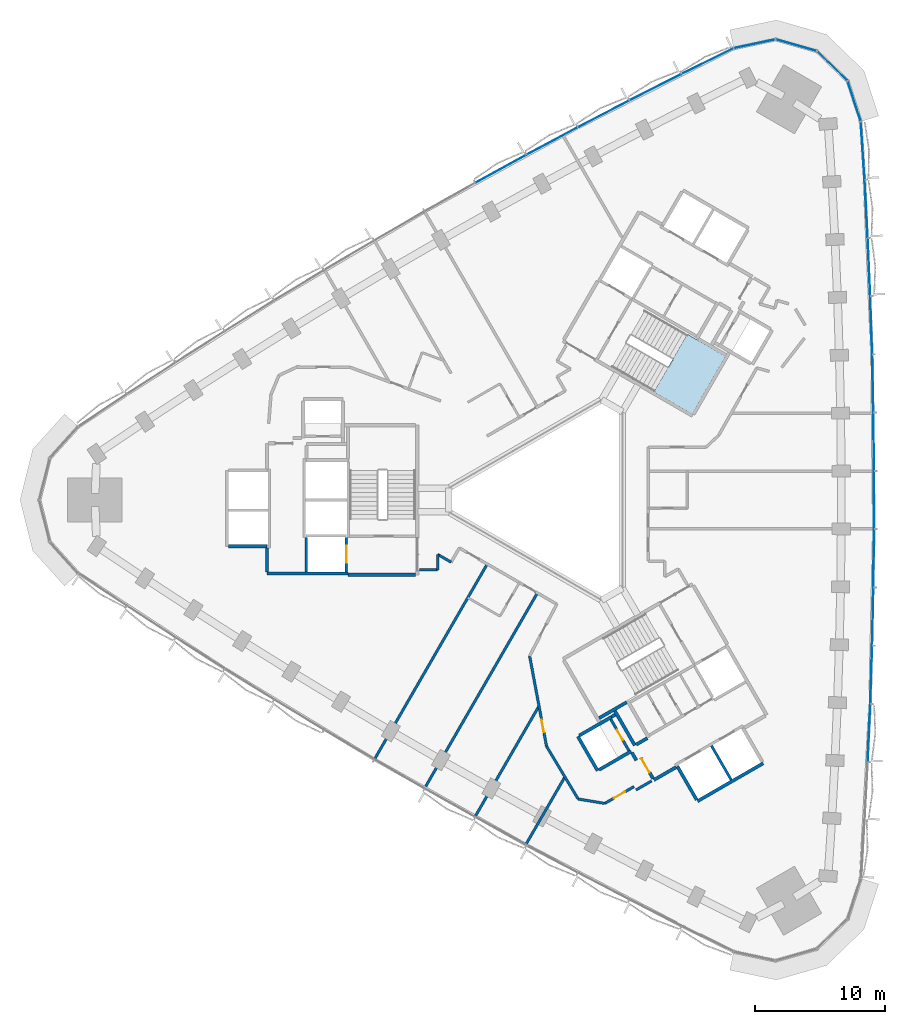
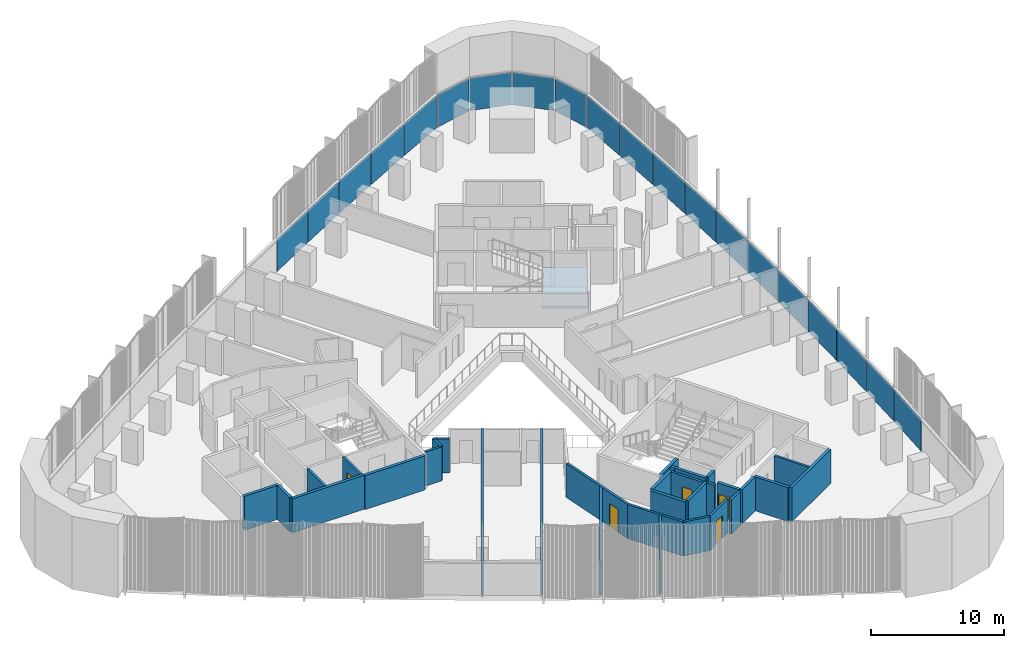
# One storey, part 9 of 16: 32 walls, 20 plates, 5 doors, 1 slab, 5 openings, 3 elements without a shape of their own.
"""IFC4 building model written with IfcOpenShell, lengths in metres."""

import ifcopenshell
import ifcopenshell.guid

model = None  # the IFC model being written
_history = None  # IfcOwnerHistory: only IFC2X3 demands one
_inside = {}  # id of a spatial element -> (the spatial element, [elements in it])
_under = {}  # id of a project, library or spatial element -> (it, [spatial elements below it])
_declared = {}  # id of a project -> (the project, [libraries it declares])
_typed = {}  # id of a type object -> (the type object, [elements of that type])
_made_of = {}  # id of a material, layer set ... -> (it, [elements and type objects made of it])


def new_model(schema):
    """Start an empty IFC model of exactly this schema.

    Asked for "IFC4X3", IfcOpenShell would pick the latest addendum, in which some entities
    have other attributes; the version numbers below select the first issue.
    IFC2X3 requires an IfcOwnerHistory on every rooted entity: one is made here for all.
    """
    global model, _history
    if schema == "IFC4X3":
        model = ifcopenshell.file(schema_version=(4, 3, 0, 0))
    else:
        model = ifcopenshell.file(schema=schema)
    _inside.clear()
    _under.clear()
    _declared.clear()
    _typed.clear()
    _made_of.clear()
    _history = None
    if model.schema == "IFC2X3":
        org = make("IfcOrganization", Name="unknown")
        user = make(
            "IfcPersonAndOrganization",
            ThePerson=make("IfcPerson", FamilyName="unknown"),
            TheOrganization=org,
        )
        app = make(
            "IfcApplication",
            ApplicationDeveloper=org,
            Version="unknown",
            ApplicationFullName="unknown",
            ApplicationIdentifier="unknown",
        )
        _history = make(
            "IfcOwnerHistory",
            OwningUser=user,
            OwningApplication=app,
            ChangeAction="ADDED",
            CreationDate=0,
        )
    return model


def make(cls, **values):
    """One entity of the class cls with the attributes given. An attribute that is None is left unset."""
    return model.create_entity(
        cls, **{name: value for name, value in values.items() if value is not None}
    )


def rooted(cls, **values):
    """An entity with a GlobalId (a new one), such as an element, a storey or a relation."""
    return make(cls, GlobalId=ifcopenshell.guid.new(), OwnerHistory=_history, **values)


def si_unit(unit_type, name, prefix=None):
    """IfcSIUnit, for example si_unit("LENGTHUNIT", "METRE", prefix="MILLI")."""
    return make("IfcSIUnit", UnitType=unit_type, Prefix=prefix, Name=name)


def assignment(units):
    """IfcUnitAssignment: the units of a project."""
    return None if units is None else make("IfcUnitAssignment", Units=units)


def point(xyz):
    """IfcCartesianPoint."""
    return None if xyz is None else make("IfcCartesianPoint", Coordinates=xyz)


def direction(xyz):
    """IfcDirection."""
    return None if xyz is None else make("IfcDirection", DirectionRatios=xyz)


def frame(location, z_axis=None, x_axis=None):
    """IfcAxis2Placement3D, a coordinate frame: its origin and axes. An axis left out is left unset."""
    return make(
        "IfcAxis2Placement3D",
        Location=point(location),
        Axis=direction(z_axis),
        RefDirection=direction(x_axis),
    )


def frame_2d(location, x_axis=None):
    """IfcAxis2Placement2D, a coordinate frame in the plane: its origin and x axis."""
    return make(
        "IfcAxis2Placement2D", Location=point(location), RefDirection=direction(x_axis)
    )


def origin():
    """The frame at (0, 0, 0) with its axes left unset."""
    return frame((0.0, 0.0, 0.0))


def origin_2d():
    """The frame at (0, 0) in the plane with its x axis left unset."""
    return frame_2d((0.0, 0.0))


def place(relative_to, where):
    """IfcLocalPlacement: puts the frame where relative to a parent placement (None: the world)."""
    return make(
        "IfcLocalPlacement", PlacementRelTo=relative_to, RelativePlacement=where
    )


def context(
    kind, dimensions, precision=None, world=None, true_north=None, identifier=None
):
    """IfcGeometricRepresentationContext, for example the 3D "Model" context."""
    return make(
        "IfcGeometricRepresentationContext",
        ContextIdentifier=identifier,
        ContextType=kind,
        CoordinateSpaceDimension=dimensions,
        Precision=precision,
        WorldCoordinateSystem=world,
        TrueNorth=true_north,
    )


def subcontext(parent, identifier, kind, view, scale=None):
    """IfcGeometricRepresentationSubContext, for example "Body" below "Model"."""
    return make(
        "IfcGeometricRepresentationSubContext",
        ContextIdentifier=identifier,
        ContextType=kind,
        ParentContext=parent,
        TargetScale=scale,
        TargetView=view,
    )


def project(units=None, contexts=None):
    """IfcProject with its units and contexts."""
    return rooted(
        "IfcProject",
        Name="project",
        RepresentationContexts=contexts,
        UnitsInContext=assignment(units),
    )


def spatial(cls, under=None, at=None, **own):
    """A site, building, storey or space (cls), placed at a placement, below another one or the project."""
    s = rooted(cls, ObjectPlacement=at, **own)
    if under is not None:
        _under.setdefault(under.id(), (under, []))[1].append(s)
    return s


def polyline(points):
    """IfcPolyline through the points."""
    return make("IfcPolyline", Points=[point(p) for p in points])


def profile(cls, at=None, kind="AREA", **sizes):
    """A parametric profile (cls). Its sizes go by their IFC names, for example OverallWidth=200.0."""
    return make(cls, ProfileType=kind, Position=at, **sizes)


def rectangle(**sizes):
    """IfcRectangleProfileDef."""
    return profile("IfcRectangleProfileDef", **sizes)


def outline(outer, holes=None, kind="AREA"):
    """IfcArbitraryClosedProfileDef: a profile drawn as a closed curve; with holes, ...WithVoids."""
    if holes is None:
        return make("IfcArbitraryClosedProfileDef", ProfileType=kind, OuterCurve=outer)
    return make(
        "IfcArbitraryProfileDefWithVoids",
        ProfileType=kind,
        OuterCurve=outer,
        InnerCurves=holes,
    )


def extrude(swept, where, along, depth):
    """IfcExtrudedAreaSolid: the profile swept, set in the frame where, extruded along a direction by depth."""
    return make(
        "IfcExtrudedAreaSolid",
        SweptArea=swept,
        Position=where,
        ExtrudedDirection=direction(along),
        Depth=depth,
    )


def shape(context_of_items, identifier, shape_type, items):
    """IfcShapeRepresentation: the items that make up one representation, for example the "Body"."""
    return make(
        "IfcShapeRepresentation",
        ContextOfItems=context_of_items,
        RepresentationIdentifier=identifier,
        RepresentationType=shape_type,
        Items=items,
    )


def material(Name=None, Category=None):
    """IfcMaterial."""
    return make("IfcMaterial", Name=Name, Category=Category)


def layer(
    of_material, thickness, ventilated=None, Name=None, Category=None, Priority=None
):
    """IfcMaterialLayer: one layer of a wall or slab, of a material (None: an air gap)."""
    return make(
        "IfcMaterialLayer",
        Material=of_material,
        LayerThickness=thickness,
        IsVentilated=ventilated,
        Name=Name,
        Category=Category,
        Priority=Priority,
    )


def layer_set(layers, Name=None):
    """IfcMaterialLayerSet."""
    return make("IfcMaterialLayerSet", MaterialLayers=layers, LayerSetName=Name)


def made_of(thing, what):
    """Note that an element or type object is made of a material, layer set ...; save() writes the relation."""
    if what is not None:
        _made_of.setdefault(what.id(), (what, []))[1].append(thing)
    return thing


def type_object(cls, material=None, **own):
    """A type object (cls), such as IfcWallType, which elements share."""
    return made_of(rooted(cls, **own), material)


def element(
    cls,
    number,
    at=None,
    inside=None,
    cuts=None,
    type_object=None,
    material=None,
    context=None,
    identifier="Body",
    shape_type=None,
    held_by="IfcProductDefinitionShape",
    body=None,
    shapes=None,
    **own,
):
    """One element of the class cls, such as IfcWall. Its Tag is "e" and its number.

    at: its placement. inside: the storey or other place that contains it. cuts: it is an
    opening in that element (IfcRelVoidsElement). A single representation is given by context,
    identifier, shape_type and body (its items); several are given by shapes. held_by: the class
    of the entity that holds the representations. save() writes the other relations.
    """
    e = rooted(cls, Tag="e%d" % number, ObjectPlacement=at, **own)
    if body is not None:
        shapes = [shape(context, identifier, shape_type, body)]
    if shapes is not None:
        e.Representation = make(held_by, Representations=shapes)
    if inside is not None:
        _inside.setdefault(inside.id(), (inside, []))[1].append(e)
    if cuts is not None:
        rooted(
            "IfcRelVoidsElement", RelatingBuildingElement=cuts, RelatedOpeningElement=e
        )
    if type_object is not None:
        _typed.setdefault(type_object.id(), (type_object, []))[1].append(e)
    return made_of(e, material)


def fill(opening, filler):
    """IfcRelFillsElement: the door or window that sits in an opening."""
    return rooted(
        "IfcRelFillsElement",
        RelatingOpeningElement=opening,
        RelatedBuildingElement=filler,
    )


def aggregate(whole, parts):
    """IfcRelAggregates: a whole, such as a stair, and the parts it consists of."""
    return rooted("IfcRelAggregates", RelatingObject=whole, RelatedObjects=parts)


def save(model, path):
    """Write the relations noted so far, then the file.

    IfcRelAggregates (storeys below a building ...), IfcRelContainedInSpatialStructure (elements
    in a storey), IfcRelDefinesByType, IfcRelAssociatesMaterial and IfcRelDeclares: one each for
    every whole, place, type object, material and project.
    """
    for whole, parts in _under.values():
        aggregate(whole, parts)
    for where, things in _inside.values():
        rooted(
            "IfcRelContainedInSpatialStructure",
            RelatedElements=things,
            RelatingStructure=where,
        )
    for kind, things in _typed.values():
        rooted("IfcRelDefinesByType", RelatedObjects=things, RelatingType=kind)
    for what, things in _made_of.values():
        rooted("IfcRelAssociatesMaterial", RelatedObjects=things, RelatingMaterial=what)
    for by, libraries in _declared.values():
        rooted("IfcRelDeclares", RelatingContext=by, RelatedDefinitions=libraries)
    model.write(path)


model = new_model("IFC4")

# Units and contexts
model_context = context("Model", 3, precision=1e-05, world=origin(), true_north=direction((0.0, 1.0)))
body_context = subcontext(model_context, "Body", "Model", "MODEL_VIEW")
ifc_project = project(units=[si_unit("LENGTHUNIT", "METRE"), si_unit("AREAUNIT", "SQUARE_METRE"), si_unit("VOLUMEUNIT", "CUBIC_METRE"), si_unit("PLANEANGLEUNIT", "RADIAN"), si_unit("MASSUNIT", "GRAM", prefix="KILO")], contexts=[model_context])

# Site, building, storey
site_placement = place(None, origin())
site = spatial("IfcSite", under=ifc_project, at=site_placement, CompositionType="ELEMENT")
building_placement = place(site_placement, origin())
building = spatial("IfcBuilding", under=site, at=building_placement, Name="Tamra Quay Hotel Tower", CompositionType="ELEMENT")
storey_placement = place(building_placement, frame((0.0, 0.0, 56.60009765625)))
storey = spatial("IfcBuildingStorey", under=building, at=storey_placement, Name="L12", CompositionType="ELEMENT", Elevation=56.60009765625)

# Stair, slab
ifc_material_1 = material(Name="Exit stair 2200 24 risers 150.0 going 342")
stair_type = type_object("IfcStairType", Name="Exit stair 2200 24 risers 150.0 going 342", PredefinedType="HALF_TURN_STAIR", material=ifc_material_1)
stair_placement = place(storey_placement, origin())
stair = element("IfcStair", 1, at=stair_placement, inside=storey, type_object=stair_type, Name="L12 Exit stair ST1", PredefinedType="HALF_TURN_STAIR")
ifc_material_2 = material(Name="Concrete M70", Category="concrete")
ifc_layer_1 = layer(ifc_material_2, 0.175048828125)
ifc_layer_set_1 = layer_set([ifc_layer_1], Name="Concrete M70 stair landing 180")
slab_type = type_object("IfcSlabType", Name="Concrete M70 stair landing 180", PredefinedType="LANDING", material=ifc_layer_set_1)
slab_placement = place(storey_placement, frame((0.0, 0.0, 1.625)))
slab = element("IfcSlab", 2, at=slab_placement, type_object=slab_type, Name="ST1 landing 1", PredefinedType="LANDING", context=body_context, shape_type="SweptSolid", body=[
    extrude(outline(polyline([(7.425048828125, 8.336669921875), (10.385009765625, 6.627685546875), (12.964599609375, 11.095458984375), (10.00439453125, 12.804443359375), (7.425048828125, 8.336669921875)])), origin(), (0.0, 0.0, 1.0), 0.1748046875),
])
aggregate(stair, [slab])

# Curtain wall, plates
ifc_material_3 = material(Name="Aluminium 6063 anodised dark grey", Category="aluminium")
curtain_wall_type_1 = type_object("IfcCurtainWallType", Name="CW1 CURTAIN WALL", PredefinedType="NOTDEFINED", material=ifc_material_3)
curtain_wall_1_placement = place(storey_placement, origin())
curtain_wall_1 = element("IfcCurtainWall", 3, at=curtain_wall_1_placement, inside=storey, type_object=curtain_wall_type_1, Name="CW1 east face L12", PredefinedType="NOTDEFINED")
ifc_material_4 = material(Name="Glass clear laminated low-iron", Category="glass")
ifc_layer_2 = layer(ifc_material_4, 0.035888671875)
ifc_layer_set_2 = layer_set([ifc_layer_2], Name="GLASS PANEL CW1 Z1")
plate_type_1 = type_object("IfcPlateType", Name="GLASS PANEL CW1 Z1", PredefinedType="CURTAIN_PANEL", material=ifc_layer_set_2)
plate_1_placement = place(storey_placement, frame((24.04052734375, -17.985107421875, 0.0), z_axis=(0.0, 0.0, 1.0), x_axis=(0.043285462035, 0.999062745165, 0.0)))
plate_1 = element("IfcPlate", 4, at=plate_1_placement, type_object=plate_type_1, Name="CW1 glass L12.E.3", PredefinedType="CURTAIN_PANEL", context=body_context, shape_type="SweptSolid", body=[
    extrude(rectangle(XDim=4.397216796875, YDim=0.035888671875, at=origin_2d()), origin(), (0.0, 0.0, 1.0), 2.985107421875),
])
plate_2_placement = place(storey_placement, frame((24.2109375, -13.490966796875, 0.0), z_axis=(0.0, 0.0, 1.0), x_axis=(0.032474799035, 0.999472554615, 0.0)))
plate_2 = element("IfcPlate", 5, at=plate_2_placement, type_object=plate_type_1, Name="CW1 glass L12.E.4", PredefinedType="CURTAIN_PANEL", context=body_context, shape_type="SweptSolid", body=[
    extrude(rectangle(XDim=4.397216796875, YDim=0.035888671875, at=origin_2d()), origin(), (0.0, 0.0, 1.0), 2.985107421875),
])
plate_3_placement = place(storey_placement, frame((24.332763671875, -8.99462890625, 0.0), z_axis=(0.0, 0.0, 1.0), x_axis=(0.021657440572, 0.999765450127, 0.0)))
plate_3 = element("IfcPlate", 6, at=plate_3_placement, type_object=plate_type_1, Name="CW1 glass L12.E.5", PredefinedType="CURTAIN_PANEL", context=body_context, shape_type="SweptSolid", body=[
    extrude(rectangle(XDim=4.39892578125, YDim=0.035888671875, at=origin_2d()), origin(), (0.0, 0.0, 1.0), 2.985107421875),
])
plate_4_placement = place(storey_placement, frame((24.40576171875, -4.4970703125, 0.0), z_axis=(0.0, 0.0, 1.0), x_axis=(0.010835825783, 0.999941290716, 0.0)))
plate_4 = element("IfcPlate", 7, at=plate_4_placement, type_object=plate_type_1, Name="CW1 glass L12.E.6", PredefinedType="CURTAIN_PANEL", context=body_context, shape_type="SweptSolid", body=[
    extrude(rectangle(XDim=4.397216796875, YDim=0.035888671875, at=origin_2d()), origin(), (0.0, 0.0, 1.0), 2.985107421875),
])
plate_5_placement = place(storey_placement, frame((24.43017578125, 0.0, 0.0), z_axis=(0.0, 0.0, 1.0), x_axis=(0.0, 1.0, 0.0)))
plate_5 = element("IfcPlate", 8, at=plate_5_placement, type_object=plate_type_1, Name="CW1 glass L12.E.7", PredefinedType="CURTAIN_PANEL", context=body_context, shape_type="SweptSolid", body=[
    extrude(rectangle(XDim=4.397216796875, YDim=0.035888671875, at=origin_2d()), origin(), (0.0, 0.0, 1.0), 2.985107421875),
])
plate_6_placement = place(storey_placement, frame((24.40576171875, 4.4970703125, 0.0), z_axis=(0.0, 0.0, 1.0), x_axis=(-0.010835825783, 0.999941290716, 0.0)))
plate_6 = element("IfcPlate", 9, at=plate_6_placement, type_object=plate_type_1, Name="CW1 glass L12.E.8", PredefinedType="CURTAIN_PANEL", context=body_context, shape_type="SweptSolid", body=[
    extrude(rectangle(XDim=4.397216796875, YDim=0.035888671875, at=origin_2d()), origin(), (0.0, 0.0, 1.0), 2.985107421875),
])
plate_7_placement = place(storey_placement, frame((24.332763671875, 8.99462890625, 0.0), z_axis=(0.0, 0.0, 1.0), x_axis=(-0.021657440572, 0.999765450127, 0.0)))
plate_7 = element("IfcPlate", 10, at=plate_7_placement, type_object=plate_type_1, Name="CW1 glass L12.E.9", PredefinedType="CURTAIN_PANEL", context=body_context, shape_type="SweptSolid", body=[
    extrude(rectangle(XDim=4.39892578125, YDim=0.035888671875, at=origin_2d()), origin(), (0.0, 0.0, 1.0), 2.985107421875),
])
plate_8_placement = place(storey_placement, frame((24.2109375, 13.490966796875, 0.0), z_axis=(0.0, 0.0, 1.0), x_axis=(-0.032474799035, 0.999472554615, 0.0)))
plate_8 = element("IfcPlate", 11, at=plate_8_placement, type_object=plate_type_1, Name="CW1 glass L12.E.10", PredefinedType="CURTAIN_PANEL", context=body_context, shape_type="SweptSolid", body=[
    extrude(rectangle(XDim=4.397216796875, YDim=0.035888671875, at=origin_2d()), origin(), (0.0, 0.0, 1.0), 2.985107421875),
])
plate_9_placement = place(storey_placement, frame((24.04052734375, 17.985107421875, 0.0), z_axis=(0.0, 0.0, 1.0), x_axis=(-0.043285462035, 0.999062745165, 0.0)))
plate_9 = element("IfcPlate", 12, at=plate_9_placement, type_object=plate_type_1, Name="CW1 glass L12.E.11", PredefinedType="CURTAIN_PANEL", context=body_context, shape_type="SweptSolid", body=[
    extrude(rectangle(XDim=4.397216796875, YDim=0.035888671875, at=origin_2d()), origin(), (0.0, 0.0, 1.0), 2.985107421875),
])
plate_10_placement = place(storey_placement, frame((23.821533203125, 22.477783203125, 0.0), z_axis=(0.0, 0.0, 1.0), x_axis=(-0.054062119595, 0.998537574268, 0.0)))
plate_10 = element("IfcPlate", 13, at=plate_10_placement, type_object=plate_type_1, Name="CW1 glass L12.E.12", PredefinedType="CURTAIN_PANEL", context=body_context, shape_type="SweptSolid", body=[
    extrude(rectangle(XDim=4.39892578125, YDim=0.035888671875, at=origin_2d()), origin(), (0.0, 0.0, 1.0), 2.985107421875),
])
plate_11_placement = place(storey_placement, frame((23.55419921875, 26.96728515625, 0.0), z_axis=(0.0, 0.0, 1.0), x_axis=(-0.064813097616, 0.997897420769, 0.0)))
plate_11 = element("IfcPlate", 14, at=plate_11_placement, type_object=plate_type_1, Name="CW1 glass L12.E.13", PredefinedType="CURTAIN_PANEL", context=body_context, shape_type="SweptSolid", body=[
    extrude(rectangle(XDim=4.396484375, YDim=0.035888671875, at=origin_2d()), origin(), (0.0, 0.0, 1.0), 2.985107421875),
])
plate_12_placement = place(storey_placement, frame((22.8974609375, 30.783447265625, 0.0), z_axis=(0.0, 0.0, 1.0), x_axis=(-0.309040551826, 0.951048861693, 0.0)))
plate_12 = element("IfcPlate", 15, at=plate_12_placement, type_object=plate_type_1, Name="CW1 glass L12.E.14", PredefinedType="CURTAIN_PANEL", context=body_context, shape_type="SweptSolid", body=[
    extrude(rectangle(XDim=3.207275390625, YDim=0.035888671875, at=origin_2d()), origin(), (0.0, 0.0, 1.0), 2.985107421875),
])
plate_13_placement = place(storey_placement, frame((21.197021484375, 33.5048828125, 0.0), z_axis=(0.0, 0.0, 1.0), x_axis=(-0.719345535851, 0.694652431113, 0.0)))
plate_13 = element("IfcPlate", 16, at=plate_13_placement, type_object=plate_type_1, Name="CW1 glass L12.E.15", PredefinedType="CURTAIN_PANEL", context=body_context, shape_type="SweptSolid", body=[
    extrude(rectangle(XDim=3.207275390625, YDim=0.035888671875, at=origin_2d()), origin(), (0.0, 0.0, 1.0), 2.985107421875),
])
plate_14_placement = place(storey_placement, frame((18.417724609375, 35.109619140625, 0.0), z_axis=(0.0, 0.0, 1.0), x_axis=(-0.96125942007, 0.275645292589, 0.0)))
plate_14 = element("IfcPlate", 17, at=plate_14_placement, type_object=plate_type_1, Name="CW1 glass L12.E.16", PredefinedType="CURTAIN_PANEL", context=body_context, shape_type="SweptSolid", body=[
    extrude(rectangle(XDim=3.207275390625, YDim=0.035888671875, at=origin_2d()), origin(), (0.0, 0.0, 1.0), 2.985107421875),
])
plate_15_placement = place(storey_placement, frame((15.210693359375, 35.2216796875, 0.0), z_axis=(0.0, 0.0, 1.0), x_axis=(-0.978152750379, -0.207887462165, 0.0)))
plate_15 = element("IfcPlate", 18, at=plate_15_placement, type_object=plate_type_1, Name="CW1 glass L12.E.17", PredefinedType="CURTAIN_PANEL", context=body_context, shape_type="SweptSolid", body=[
    extrude(rectangle(XDim=3.207275390625, YDim=0.035888671875, at=origin_2d()), origin(), (0.0, 0.0, 1.0), 2.985107421875),
])
aggregate(curtain_wall_1, [plate_1, plate_2, plate_3, plate_4, plate_5, plate_6, plate_7, plate_8, plate_9, plate_10, plate_11, plate_12, plate_13, plate_14, plate_15])

curtain_wall_type_2 = type_object("IfcCurtainWallType", Name="CW2 CURTAIN WALL", PredefinedType="NOTDEFINED", material=ifc_material_3)
curtain_wall_2_placement = place(storey_placement, origin())
curtain_wall_2 = element("IfcCurtainWall", 19, at=curtain_wall_2_placement, inside=storey, type_object=curtain_wall_type_2, Name="CW2 north-west face L12", PredefinedType="NOTDEFINED")
ifc_layer_3 = layer(ifc_material_4, 0.035888671875)
ifc_layer_set_3 = layer_set([ifc_layer_3], Name="GLASS PANEL CW2 Z1")
plate_type_2 = type_object("IfcPlateType", Name="GLASS PANEL CW2 Z1", PredefinedType="CURTAIN_PANEL", material=ifc_layer_set_3)
plate_16_placement = place(storey_placement, frame((11.5771484375, 33.88232421875, 0.0), z_axis=(0.0, 0.0, 1.0), x_axis=(-0.896611065565, -0.442818921351, 0.0)))
plate_16 = element("IfcPlate", 20, at=plate_16_placement, type_object=plate_type_2, Name="CW2 glass L12.NW.1", PredefinedType="CURTAIN_PANEL", context=body_context, shape_type="SweptSolid", body=[
    extrude(rectangle(XDim=4.396484375, YDim=0.035888671875, at=origin_2d()), origin(), (0.0, 0.0, 1.0), 2.985107421875),
])
plate_17_placement = place(storey_placement, frame((7.555419921875, 31.868896484375, 0.0), z_axis=(0.0, 0.0, 1.0), x_axis=(-0.891789965747, -0.452449618182, 0.0)))
plate_17 = element("IfcPlate", 21, at=plate_17_placement, type_object=plate_type_2, Name="CW2 glass L12.NW.2", PredefinedType="CURTAIN_PANEL", context=body_context, shape_type="SweptSolid", body=[
    extrude(rectangle(XDim=4.39892578125, YDim=0.035888671875, at=origin_2d()), origin(), (0.0, 0.0, 1.0), 2.985107421875),
])
plate_18_placement = place(storey_placement, frame((3.55517578125, 29.812255859375, 0.0), z_axis=(0.0, 0.0, 1.0), x_axis=(-0.886856448305, -0.462045062846, 0.0)))
plate_18 = element("IfcPlate", 22, at=plate_18_placement, type_object=plate_type_2, Name="CW2 glass L12.NW.3", PredefinedType="CURTAIN_PANEL", context=body_context, shape_type="SweptSolid", body=[
    extrude(rectangle(XDim=4.397216796875, YDim=0.035888671875, at=origin_2d()), origin(), (0.0, 0.0, 1.0), 2.985107421875),
])
plate_19_placement = place(storey_placement, frame((-0.421875, 27.712890625, 0.0), z_axis=(0.0, 0.0, 1.0), x_axis=(-0.881806022199, -0.47161227636, 0.0)))
plate_19 = element("IfcPlate", 23, at=plate_19_placement, type_object=plate_type_2, Name="CW2 glass L12.NW.4", PredefinedType="CURTAIN_PANEL", context=body_context, shape_type="SweptSolid", body=[
    extrude(rectangle(XDim=4.397216796875, YDim=0.035888671875, at=origin_2d()), origin(), (0.0, 0.0, 1.0), 2.985107421875),
])
plate_20_placement = place(storey_placement, frame((-4.376708984375, 25.570068359375, 0.0), z_axis=(0.0, 0.0, 1.0), x_axis=(-0.876650997922, -0.481126831347, 0.0)))
plate_20 = element("IfcPlate", 24, at=plate_20_placement, type_object=plate_type_2, Name="CW2 glass L12.NW.5", PredefinedType="CURTAIN_PANEL", context=body_context, shape_type="SweptSolid", body=[
    extrude(rectangle(XDim=4.39892578125, YDim=0.035888671875, at=origin_2d()), origin(), (0.0, 0.0, 1.0), 2.985107421875),
])
aggregate(curtain_wall_2, [plate_16, plate_17, plate_18, plate_19, plate_20])

# Wall, opening, door
ifc_layer_4 = layer(ifc_material_2, 0.199951171875)
ifc_layer_set_4 = layer_set([ifc_layer_4], Name="Concrete M70 core wall 200")
wall_type_1 = type_object("IfcWallType", Name="Concrete M70 core wall 200", PredefinedType="SHEAR", material=ifc_layer_set_4)
wall_1_placement = place(storey_placement, frame((-16.312255859375, -2.898193359375, 0.0), z_axis=(0.0, 0.0, 1.0), x_axis=(0.0, -1.0, 0.0)))
wall_1 = element("IfcWall", 25, at=wall_1_placement, inside=storey, type_object=wall_type_1, Name="CW2", PredefinedType="SHEAR", context=body_context, shape_type="SweptSolid", body=[
    extrude(rectangle(XDim=2.65087890625, YDim=0.199951171875, at=frame_2d((1.325439453125, 0.0))), origin(), (0.0, 0.0, 1.0), 3.125),
])
opening_1_placement = place(wall_1_placement, frame((0.65185546875, 0.0, 0.0)))
opening_1 = element("IfcOpeningElement", 26, at=opening_1_placement, cuts=wall_1, Name="Opening LD", PredefinedType="OPENING", context=body_context, shape_type="SweptSolid", body=[
    extrude(rectangle(XDim=1.300048828125, YDim=2.10009765625, at=frame_2d((0.64990234375, 1.050048828125))), frame((0.0, 0.10986328125, 0.0), z_axis=(0.0, -1.0, 0.0), x_axis=(1.0, 0.0, 0.0)), (0.0, 0.0, 1.0), 0.219970703125),
])
ifc_material_5 = material(Name="Landing door LD 1300 sliding to right")
door_type_1 = type_object("IfcDoorType", Name="Landing door LD 1300 sliding to right", OperationType="NOTDEFINED", PredefinedType="DOOR", material=ifc_material_5)
door_1_placement = place(opening_1_placement, origin())
door_1 = element("IfcDoor", 27, at=door_1_placement, inside=storey, type_object=door_type_1, Name="LD", OperationType="SLIDING_TO_RIGHT", OverallHeight=2.10009765625, OverallWidth=1.300048828125, PredefinedType="DOOR", context=body_context, shape_type="SweptSolid", body=[
    extrude(rectangle(XDim=1.300048828125, YDim=2.10009765625, at=frame_2d((0.64990234375, 1.050048828125))), frame((0.0, 0.02490234375, 0.0), z_axis=(0.0, -1.0, 0.0), x_axis=(1.0, 0.0, 0.0)), (0.0, 0.0, 1.0), 0.050048828125),
])
fill(opening_1, door_1)

# Walls
wall_2_placement = place(storey_placement, frame((-19.412353515625, -5.549072265625, 0.0), z_axis=(0.0, 0.0, 1.0), x_axis=(0.0, 1.0, 0.0)))
element("IfcWall", 28, at=wall_2_placement, inside=storey, type_object=wall_type_1, Name="CW2", PredefinedType="SHEAR", context=body_context, shape_type="SweptSolid", body=[
    extrude(rectangle(XDim=2.65087890625, YDim=0.199951171875, at=frame_2d((1.325439453125, 0.0))), origin(), (0.0, 0.0, 1.0), 3.125),
])
wall_3_placement = place(storey_placement, frame((11.87451171875, -18.967041015625, 0.0), z_axis=(0.0, 0.0, 1.0), x_axis=(0.49998131003, -0.866036194175, 0.0)))
element("IfcWall", 29, at=wall_3_placement, inside=storey, type_object=wall_type_1, Name="CW2", PredefinedType="SHEAR", context=body_context, shape_type="SweptSolid", body=[
    extrude(rectangle(XDim=3.0478515625, YDim=0.199951171875, at=frame_2d((1.52392578125, 0.0))), origin(), (0.0, 0.0, 1.0), 3.125),
])

# Wall, opening, door
wall_4_placement = place(storey_placement, frame((5.50341796875, -19.352294921875, 0.0), z_axis=(0.0, 0.0, 1.0), x_axis=(-0.499986818241, 0.866033014143, 0.0)))
wall_4 = element("IfcWall", 30, at=wall_4_placement, inside=storey, type_object=wall_type_1, Name="CW2", PredefinedType="SHEAR", context=body_context, shape_type="SweptSolid", body=[
    extrude(rectangle(XDim=2.7978515625, YDim=0.199951171875, at=frame_2d((1.39892578125, 0.0))), origin(), (0.0, 0.0, 1.0), 3.125),
])
opening_2_placement = place(wall_4_placement, frame((0.948974609375, 0.0, 0.0)))
opening_2 = element("IfcOpeningElement", 31, at=opening_2_placement, cuts=wall_4, Name="Opening D1", PredefinedType="OPENING", context=body_context, shape_type="SweptSolid", body=[
    extrude(rectangle(XDim=0.89990234375, YDim=2.10009765625, at=frame_2d((0.449951171875, 1.050048828125))), frame((0.0, 0.10986328125, 0.0), z_axis=(0.0, -1.0, 0.0), x_axis=(1.0, 0.0, 0.0)), (0.0, 0.0, 1.0), 0.219970703125),
])
ifc_material_6 = material(Name="Core door D1 900x2100 RH")
door_type_2 = type_object("IfcDoorType", Name="Core door D1 900x2100 RH", OperationType="NOTDEFINED", PredefinedType="DOOR", material=ifc_material_6)
door_2_placement = place(opening_2_placement, origin())
door_2 = element("IfcDoor", 32, at=door_2_placement, inside=storey, type_object=door_type_2, Name="D1", OperationType="SINGLE_SWING_RIGHT", OverallHeight=2.10009765625, OverallWidth=0.89990234375, PredefinedType="DOOR", context=body_context, shape_type="SweptSolid", body=[
    extrude(rectangle(XDim=0.89990234375, YDim=2.10009765625, at=frame_2d((0.449951171875, 1.050048828125))), frame((0.0, 0.02490234375, 0.0), z_axis=(0.0, -1.0, 0.0), x_axis=(1.0, 0.0, 0.0)), (0.0, 0.0, 1.0), 0.050048828125),
])
fill(opening_2, door_2)

# Walls
ifc_layer_5 = layer(ifc_material_2, 0.25)
ifc_layer_set_5 = layer_set([ifc_layer_5], Name="Concrete M70 core wall 250")
wall_type_2 = type_object("IfcWallType", Name="Concrete M70 core wall 250", PredefinedType="SHEAR", material=ifc_layer_set_5)
wall_5_placement = place(storey_placement, frame((-16.187255859375, -5.675048828125, 0.0), z_axis=(0.0, 0.0, 1.0), x_axis=(-1.0, 0.0, 0.0)))
element("IfcWall", 33, at=wall_5_placement, inside=storey, type_object=wall_type_2, Name="CW1", PredefinedType="SHEAR", context=body_context, shape_type="SweptSolid", body=[
    extrude(rectangle(XDim=6.25, YDim=0.25, at=frame_2d((3.125, 0.0))), origin(), (0.0, 0.0, 1.0), 3.125),
])
wall_6_placement = place(storey_placement, frame((-10.962646484375, -5.77490234375, 0.0), z_axis=(0.0, 0.0, 1.0), x_axis=(-1.0, 0.0, 0.0)))
element("IfcWall", 34, at=wall_6_placement, inside=storey, type_object=wall_type_2, Name="CW1", PredefinedType="SHEAR", context=body_context, shape_type="SweptSolid", body=[
    extrude(rectangle(XDim=5.224609375, YDim=0.25, at=frame_2d((2.6123046875, 0.0))), origin(), (0.0, 0.0, 1.0), 3.125),
])
wall_7_placement = place(storey_placement, frame((-22.437255859375, -3.574951171875, 0.0), z_axis=(0.0, 0.0, 1.0), x_axis=(-1.0, 0.0, 0.0)))
element("IfcWall", 35, at=wall_7_placement, inside=storey, type_object=wall_type_2, Name="CW1", PredefinedType="SHEAR", context=body_context, shape_type="SweptSolid", body=[
    extrude(rectangle(XDim=2.974609375, YDim=0.25, at=frame_2d((1.4873046875, 0.0))), origin(), (0.0, 0.0, 1.0), 3.125),
])
wall_8_placement = place(storey_placement, frame((-22.437255859375, -5.549560546875, 0.0), z_axis=(0.0, 0.0, 1.0), x_axis=(0.0, 1.0, 0.0)))
element("IfcWall", 36, at=wall_8_placement, inside=storey, type_object=wall_type_2, Name="CW1", PredefinedType="SHEAR", context=body_context, shape_type="SweptSolid", body=[
    extrude(rectangle(XDim=1.84912109375, YDim=0.25, at=frame_2d((0.924560546875, 0.0))), origin(), (0.0, 0.0, 1.0), 3.125),
])
wall_9_placement = place(storey_placement, frame((15.86474609375, -20.328369140625, 0.0), z_axis=(0.0, 0.0, 1.0), x_axis=(-0.86602852612, -0.499994591916, 0.0)))
element("IfcWall", 37, at=wall_9_placement, inside=storey, type_object=wall_type_2, Name="CW1", PredefinedType="SHEAR", context=body_context, shape_type="SweptSolid", body=[
    extrude(rectangle(XDim=5.85009765625, YDim=0.25, at=frame_2d((2.925048828125, 0.0))), origin(), (0.0, 0.0, 1.0), 3.125),
])
wall_10_placement = place(storey_placement, frame((10.73583984375, -23.144775390625, 0.0), z_axis=(0.0, 0.0, 1.0), x_axis=(-0.500023226632, 0.866011993467, 0.0)))
element("IfcWall", 38, at=wall_10_placement, inside=storey, type_object=wall_type_2, Name="CW1", PredefinedType="SHEAR", context=body_context, shape_type="SweptSolid", body=[
    extrude(rectangle(XDim=2.974365234375, YDim=0.25, at=frame_2d((1.4873046875, 0.0))), origin(), (0.0, 0.0, 1.0), 3.125),
])
wall_11_placement = place(storey_placement, frame((3.085205078125, -20.893798828125, 0.0), z_axis=(0.0, 0.0, 1.0), x_axis=(-0.499978833458, 0.866037623948, 0.0)))
element("IfcWall", 39, at=wall_11_placement, inside=storey, type_object=wall_type_2, Name="CW1", PredefinedType="SHEAR", context=body_context, shape_type="SweptSolid", body=[
    extrude(rectangle(XDim=3.050048828125, YDim=0.25, at=frame_2d((1.52490234375, 0.0))), origin(), (0.0, 0.0, 1.0), 3.125),
])
wall_12_placement = place(storey_placement, frame((1.6689453125, -18.189697265625, 0.0), z_axis=(0.0, 0.0, 1.0), x_axis=(0.866042235819, 0.499970844928, 0.0)))
element("IfcWall", 40, at=wall_12_placement, inside=storey, type_object=wall_type_2, Name="CW1", PredefinedType="SHEAR", context=body_context, shape_type="SweptSolid", body=[
    extrude(rectangle(XDim=2.864501953125, YDim=0.25, at=frame_2d((1.43212890625, 0.0))), origin(), (0.0, 0.0, 1.0), 3.125),
])
wall_13_placement = place(storey_placement, frame((5.6748046875, -19.39892578125, 0.0), z_axis=(0.0, 0.0, 1.0), x_axis=(-0.866026637627, -0.499997862916, 0.0)))
element("IfcWall", 41, at=wall_13_placement, inside=storey, type_object=wall_type_2, Name="CW1", PredefinedType="SHEAR", context=body_context, shape_type="SweptSolid", body=[
    extrude(rectangle(XDim=2.86474609375, YDim=0.25, at=frame_2d((1.432373046875, 0.0))), origin(), (0.0, 0.0, 1.0), 3.125),
])
wall_14_placement = place(storey_placement, frame((4.414306640625, -16.275634765625, 0.0), z_axis=(0.0, 0.0, 1.0), x_axis=(0.500003324108, -0.866023484601, 0.0)))
element("IfcWall", 42, at=wall_14_placement, inside=storey, type_object=wall_type_2, Name="CW1", PredefinedType="SHEAR", context=body_context, shape_type="SweptSolid", body=[
    extrude(rectangle(XDim=3.0849609375, YDim=0.25, at=frame_2d((1.54248046875, 0.0))), origin(), (0.0, 0.0, 1.0), 3.125),
])
wall_15_placement = place(storey_placement, frame((5.322021484375, -15.618896484375, 0.0), z_axis=(0.0, 0.0, 1.0), x_axis=(-0.866026229868, -0.499998569178, 0.0)))
element("IfcWall", 43, at=wall_15_placement, inside=storey, type_object=wall_type_2, Name="CW1", PredefinedType="SHEAR", context=body_context, shape_type="SweptSolid", body=[
    extrude(rectangle(XDim=2.44921875, YDim=0.25, at=frame_2d((1.224609375, 0.0))), origin(), (0.0, 0.0, 1.0), 3.125),
])
wall_16_placement = place(storey_placement, frame((9.139892578125, -20.63134765625, 0.0), z_axis=(0.0, 0.0, 1.0), x_axis=(-0.866043531843, -0.499968599967, 0.0)))
element("IfcWall", 44, at=wall_16_placement, inside=storey, type_object=wall_type_2, Name="CW1", PredefinedType="SHEAR", context=body_context, shape_type="SweptSolid", body=[
    extrude(rectangle(XDim=1.974853515625, YDim=0.25, at=frame_2d((0.9873046875, 0.0))), origin(), (0.0, 0.0, 1.0), 3.125),
])

# Wall, opening, door
wall_17_placement = place(storey_placement, frame((7.3671875, -21.51025390625, 0.0), z_axis=(0.0, 0.0, 1.0), x_axis=(-0.499983108224, 0.866035156036, 0.0)))
wall_17 = element("IfcWall", 45, at=wall_17_placement, inside=storey, type_object=wall_type_2, Name="CW1", PredefinedType="SHEAR", context=body_context, shape_type="SweptSolid", body=[
    extrude(rectangle(XDim=1.86474609375, YDim=0.25, at=frame_2d((0.932373046875, 0.0))), origin(), (0.0, 0.0, 1.0), 3.125),
])
opening_3_placement = place(wall_17_placement, frame((0.53466796875, 0.0, 0.0)))
opening_3 = element("IfcOpeningElement", 46, at=opening_3_placement, cuts=wall_17, Name="Opening FD3", PredefinedType="OPENING", context=body_context, shape_type="SweptSolid", body=[
    extrude(rectangle(XDim=1.25, YDim=2.10009765625, at=frame_2d((0.625, 1.050048828125))), frame((0.0, 0.135009765625, 0.0), z_axis=(0.0, -1.0, 0.0), x_axis=(1.0, 0.0, 0.0)), (0.0, 0.0, 1.0), 0.27001953125),
])
ifc_material_7 = material(Name="Core door FD3 1250x2100 LH")
door_type_3 = type_object("IfcDoorType", Name="Core door FD3 1250x2100 LH", OperationType="NOTDEFINED", PredefinedType="DOOR", material=ifc_material_7)
door_3_placement = place(opening_3_placement, origin())
door_3 = element("IfcDoor", 47, at=door_3_placement, inside=storey, type_object=door_type_3, Name="FD3", OperationType="SINGLE_SWING_LEFT", OverallHeight=2.10009765625, OverallWidth=1.25, PredefinedType="DOOR", context=body_context, shape_type="SweptSolid", body=[
    extrude(rectangle(XDim=1.25, YDim=2.10009765625, at=frame_2d((0.625, 1.050048828125))), frame((0.0, 0.02490234375, 0.0), z_axis=(0.0, -1.0, 0.0), x_axis=(1.0, 0.0, 0.0)), (0.0, 0.0, 1.0), 0.050048828125),
])
fill(opening_3, door_3)

# Walls
wall_18_placement = place(storey_placement, frame((6.0654296875, -18.884765625, 0.0), z_axis=(0.0, 0.0, 1.0), x_axis=(0.866017078145, 0.500014420154, 0.0)))
element("IfcWall", 48, at=wall_18_placement, inside=storey, type_object=wall_type_2, Name="CW1", PredefinedType="SHEAR", context=body_context, shape_type="SweptSolid", body=[
    extrude(rectangle(XDim=0.9892578125, YDim=0.25, at=frame_2d((0.49462890625, 0.0))), origin(), (0.0, 0.0, 1.0), 3.125),
])
wall_19_placement = place(storey_placement, frame((6.07958984375, -20.100341796875, 0.0), z_axis=(0.0, 0.0, 1.0), x_axis=(-0.500051773299, 0.865995510393, 0.0)))
element("IfcWall", 49, at=wall_19_placement, inside=storey, type_object=wall_type_2, Name="CW1", PredefinedType="SHEAR", context=body_context, shape_type="SweptSolid", body=[
    extrude(rectangle(XDim=0.6845703125, YDim=0.25, at=frame_2d((0.34228515625, 0.0))), origin(), (0.0, 0.0, 1.0), 3.125),
])
wall_20_placement = place(storey_placement, frame((4.144775390625, -16.748779296875, 0.0), z_axis=(0.0, 0.0, 1.0), x_axis=(0.866185586049, 0.49972245349, 0.0)))
element("IfcWall", 50, at=wall_20_placement, inside=storey, type_object=wall_type_2, Name="CW1", PredefinedType="SHEAR", context=body_context, shape_type="SweptSolid", body=[
    extrude(rectangle(XDim=0.344482421875, YDim=0.25, at=frame_2d((0.17236328125, 0.0))), origin(), (0.0, 0.0, 1.0), 3.125),
])
ifc_material_8 = material(Name="Partition corridor wall")
ifc_layer_6 = layer(ifc_material_8, 0.199951171875)
ifc_layer_set_6 = layer_set([ifc_layer_6], Name="Partition corridor wall")
wall_type_3 = type_object("IfcWallType", Name="Partition corridor wall", PredefinedType="PARTITIONING", material=ifc_layer_set_6)
wall_21_placement = place(storey_placement, frame((-10.65234375, -5.39990234375, 0.0), z_axis=(0.0, 0.0, 1.0), x_axis=(1.0, 0.0, 0.0)))
element("IfcWall", 51, at=wall_21_placement, inside=storey, type_object=wall_type_3, Name="W-C", PredefinedType="PARTITIONING", context=body_context, shape_type="SweptSolid", body=[
    extrude(rectangle(XDim=1.390380859375, YDim=0.199951171875, at=frame_2d((0.6953125, 0.0))), origin(), (0.0, 0.0, 1.0), 3.125),
])
for number, where, z_axis, x_axis, name in (
    (52, (-9.261962890625, -5.39990234375, 0.0), (0.0, 0.0, 1.0), (0.0, 1.0, 0.0), "W-C"),
    (53, (-9.261962890625, -4.199951171875, 0.0), (0.0, 0.0, 1.0), (0.865955154139, -0.50012165622, 0.0), "W-C"),
):
    element("IfcWall", number, at=place(storey_placement, frame(where, z_axis=z_axis, x_axis=x_axis)), inside=storey, type_object=wall_type_3, Name=name, PredefinedType="PARTITIONING", context=body_context, shape_type="SweptSolid", body=[
        extrude(rectangle(XDim=1.199951171875, YDim=0.199951171875, at=frame_2d((0.60009765625, 0.0))), origin(), (0.0, 0.0, 1.0), 3.125),
    ])

# Wall, opening, door
wall_22_placement = place(storey_placement, frame((-2.162109375, -12.0419921875, 0.0), z_axis=(0.0, 0.0, 1.0), x_axis=(0.183949825522, -0.982935634561, 0.0)))
wall_22 = element("IfcWall", 54, at=wall_22_placement, inside=storey, type_object=wall_type_3, Name="W-C", PredefinedType="PARTITIONING", context=body_context, shape_type="SweptSolid", body=[
    extrude(rectangle(XDim=7.093994140625, YDim=0.199951171875, at=frame_2d((3.546875, 0.0))), origin(), (0.0, 0.0, 1.0), 3.125),
])
opening_4_placement = place(wall_22_placement, frame((5.005859375, 0.0, 0.0)))
opening_4 = element("IfcOpeningElement", 55, at=opening_4_placement, cuts=wall_22, Name="Opening L12-D016", PredefinedType="OPENING", context=body_context, shape_type="SweptSolid", body=[
    extrude(rectangle(XDim=1.0, YDim=2.10009765625, at=frame_2d((0.5, 1.050048828125))), frame((0.0, 0.10986328125, 0.0), z_axis=(0.0, -1.0, 0.0), x_axis=(1.0, 0.0, 0.0)), (0.0, 0.0, 1.0), 0.219970703125),
])
ifc_material_9 = material(Name="Door guest room 1000x2100")
door_type_4 = type_object("IfcDoorType", Name="Door guest room 1000x2100", OperationType="NOTDEFINED", PredefinedType="DOOR", material=ifc_material_9)
door_4_placement = place(opening_4_placement, frame((1.0, 0.0, 0.0), z_axis=(0.0, 0.0, 1.0), x_axis=(-1.0, 0.0, 0.0)))
door_4 = element("IfcDoor", 56, at=door_4_placement, inside=storey, type_object=door_type_4, Name="L12-D016", OperationType="SINGLE_SWING_LEFT", OverallHeight=2.10009765625, OverallWidth=1.0, PredefinedType="DOOR", context=body_context, shape_type="SweptSolid", body=[
    extrude(rectangle(XDim=1.0, YDim=2.10009765625, at=frame_2d((0.5, 1.050048828125))), frame((0.0, 0.02490234375, 0.0), z_axis=(0.0, -1.0, 0.0), x_axis=(1.0, 0.0, 0.0)), (0.0, 0.0, 1.0), 0.050048828125),
])
fill(opening_4, door_4)

# Walls
wall_23_placement = place(storey_placement, frame((-0.85791015625, -19.01708984375, 0.0), z_axis=(0.0, 0.0, 1.0), x_axis=(0.514647068805, -0.857402119528, 0.0)))
element("IfcWall", 57, at=wall_23_placement, inside=storey, type_object=wall_type_3, Name="W-C", PredefinedType="PARTITIONING", context=body_context, shape_type="SweptSolid", body=[
    extrude(rectangle(XDim=4.745361328125, YDim=0.199951171875, at=frame_2d((2.37255859375, 0.0))), origin(), (0.0, 0.0, 1.0), 3.125),
])
wall_24_placement = place(storey_placement, frame((1.583984375, -23.0859375, 0.0), z_axis=(0.0, 0.0, 1.0), x_axis=(0.986633159246, -0.162957077405, 0.0)))
element("IfcWall", 58, at=wall_24_placement, inside=storey, type_object=wall_type_3, Name="W-C", PredefinedType="PARTITIONING", context=body_context, shape_type="SweptSolid", body=[
    extrude(rectangle(XDim=2.0869140625, YDim=0.199951171875, at=frame_2d((1.04345703125, 0.0))), origin(), (0.0, 0.0, 1.0), 3.125),
])

# Wall, opening, door
wall_25_placement = place(storey_placement, frame((3.64306640625, -23.426025390625, 0.0), z_axis=(0.0, 0.0, 1.0), x_axis=(0.866654350985, 0.498909045738, 0.0)))
wall_25 = element("IfcWall", 59, at=wall_25_placement, inside=storey, type_object=wall_type_3, Name="W-C", PredefinedType="PARTITIONING", context=body_context, shape_type="SweptSolid", body=[
    extrude(rectangle(XDim=2.607666015625, YDim=0.199951171875, at=frame_2d((1.3037109375, 0.0))), origin(), (0.0, 0.0, 1.0), 3.125),
])
opening_5_placement = place(wall_25_placement, frame((0.803955078125, 0.0, 0.0)))
opening_5 = element("IfcOpeningElement", 60, at=opening_5_placement, cuts=wall_25, Name="Opening L12-D017", PredefinedType="OPENING", context=body_context, shape_type="SweptSolid", body=[
    extrude(rectangle(XDim=1.0, YDim=2.10009765625, at=frame_2d((0.5, 1.050048828125))), frame((0.0, 0.10986328125, 0.0), z_axis=(0.0, -1.0, 0.0), x_axis=(1.0, 0.0, 0.0)), (0.0, 0.0, 1.0), 0.219970703125),
])
door_5_placement = place(opening_5_placement, frame((1.0, 0.0, 0.0), z_axis=(0.0, 0.0, 1.0), x_axis=(-1.0, 0.0, 0.0)))
door_5 = element("IfcDoor", 61, at=door_5_placement, inside=storey, type_object=door_type_4, Name="L12-D017", OperationType="SINGLE_SWING_LEFT", OverallHeight=2.10009765625, OverallWidth=1.0, PredefinedType="DOOR", context=body_context, shape_type="SweptSolid", body=[
    extrude(rectangle(XDim=1.0, YDim=2.10009765625, at=frame_2d((0.5, 1.050048828125))), frame((0.0, 0.02490234375, 0.0), z_axis=(0.0, -1.0, 0.0), x_axis=(1.0, 0.0, 0.0)), (0.0, 0.0, 1.0), 0.050048828125),
])
fill(opening_5, door_5)

# Walls
wall_26_placement = place(storey_placement, frame((6.053955078125, -22.385009765625, 0.0), z_axis=(0.0, 0.0, 1.0), x_axis=(0.86593101922, 0.500163443238, 0.0)))
element("IfcWall", 62, at=wall_26_placement, inside=storey, type_object=wall_type_3, Name="W-C", PredefinedType="PARTITIONING", context=body_context, shape_type="SweptSolid", body=[
    extrude(rectangle(XDim=1.3896484375, YDim=0.199951171875, at=frame_2d((0.69482421875, 0.0))), origin(), (0.0, 0.0, 1.0), 3.125),
])
ifc_material_10 = material(Name="Partition party wall")
ifc_layer_7 = layer(ifc_material_10, 0.199951171875)
ifc_layer_set_7 = layer_set([ifc_layer_7], Name="Partition party wall")
wall_type_4 = type_object("IfcWallType", Name="Partition party wall", PredefinedType="PARTITIONING", material=ifc_layer_set_7)
wall_27_placement = place(storey_placement, frame((-14.148193359375, -20.03515625, 0.0), z_axis=(0.0, 0.0, 1.0), x_axis=(0.500005855417, 0.866022023131, 0.0)))
element("IfcWall", 63, at=wall_27_placement, inside=storey, type_object=wall_type_4, Name="W-P", PredefinedType="PARTITIONING", context=body_context, shape_type="SweptSolid", body=[
    extrude(rectangle(XDim=17.424560546875, YDim=0.199951171875, at=frame_2d((8.71240234375, 0.0))), origin(), (0.0, 0.0, 1.0), 3.125),
])
wall_28_placement = place(storey_placement, frame((-10.2763671875, -22.2705078125, 0.0), z_axis=(0.0, 0.0, 1.0), x_axis=(0.49999372146, 0.866029028671, 0.0)))
element("IfcWall", 64, at=wall_28_placement, inside=storey, type_object=wall_type_4, Name="W-P", PredefinedType="PARTITIONING", context=body_context, shape_type="SweptSolid", body=[
    extrude(rectangle(XDim=17.425048828125, YDim=0.199951171875, at=frame_2d((8.71240234375, 0.0))), origin(), (0.0, 0.0, 1.0), 3.125),
])
wall_29_placement = place(storey_placement, frame((-6.38134765625, -24.463623046875, 0.0), z_axis=(0.0, 0.0, 1.0), x_axis=(0.500007577232, 0.866021029023, 0.0)))
element("IfcWall", 65, at=wall_29_placement, inside=storey, type_object=wall_type_4, Name="W-P", PredefinedType="PARTITIONING", context=body_context, shape_type="SweptSolid", body=[
    extrude(rectangle(XDim=9.882568359375, YDim=0.199951171875, at=frame_2d((4.94140625, 0.0))), origin(), (0.0, 0.0, 1.0), 3.125),
])
wall_30_placement = place(storey_placement, frame((-2.46240234375, -26.614990234375, 0.0), z_axis=(0.0, 0.0, 1.0), x_axis=(0.49992636536, 0.86606791259, 0.0)))
element("IfcWall", 66, at=wall_30_placement, inside=storey, type_object=wall_type_4, Name="W-P", PredefinedType="PARTITIONING", context=body_context, shape_type="SweptSolid", body=[
    extrude(rectangle(XDim=6.0458984375, YDim=0.199951171875, at=frame_2d((3.02294921875, 0.0))), origin(), (0.0, 0.0, 1.0), 3.125),
])

save(model, "model.ifc")
